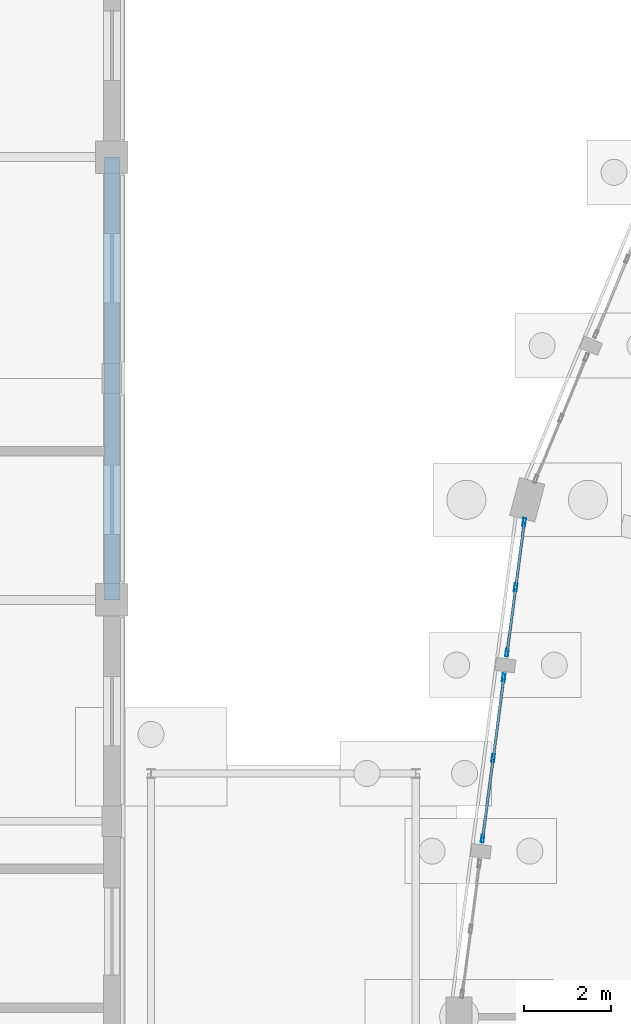
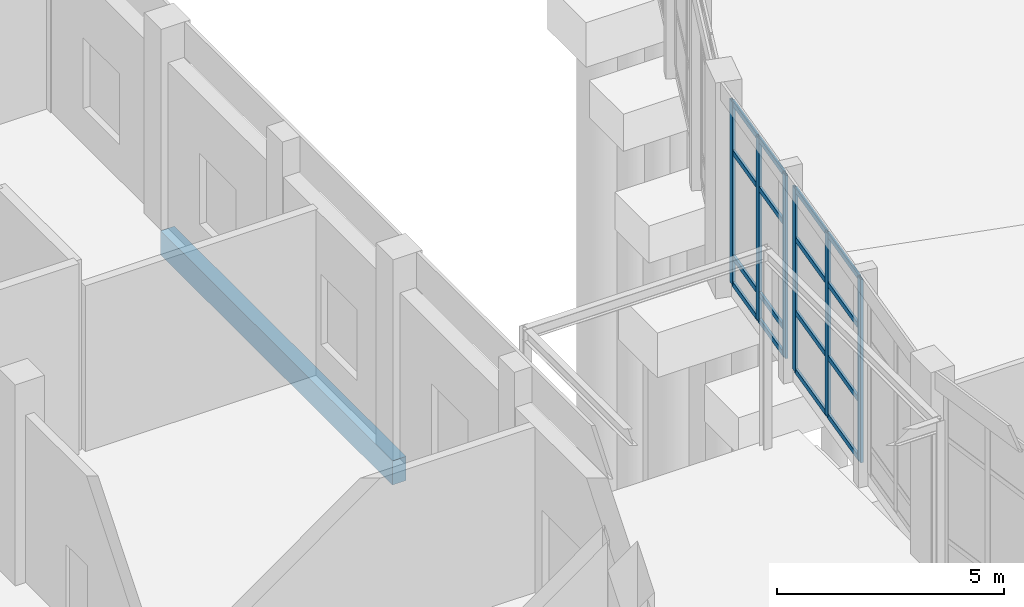
# One storey, part 48 of 137: 22 members, 1 beam, 2 elements without a shape of their own.
"""IFC4 building model written with IfcOpenShell, lengths in metres."""

from ifc_helpers import new_model, si_unit, direction, frame, origin, origin_2d, place, context, subcontext, project, spatial, rectangle, hollow_rectangle, extrude, material, material_profile, profile_set, type_object, element, aggregate, save


model = new_model("IFC4")

# Units and contexts
model_context = context("Model", 3, precision=1e-05, world=origin(), true_north=direction((0.0, 1.0)))
body_context = subcontext(model_context, "Body", "Model", "MODEL_VIEW")
ifc_project = project(units=[si_unit("LENGTHUNIT", "METRE"), si_unit("AREAUNIT", "SQUARE_METRE"), si_unit("VOLUMEUNIT", "CUBIC_METRE"), si_unit("PLANEANGLEUNIT", "RADIAN"), si_unit("MASSUNIT", "GRAM", prefix="KILO")], contexts=[model_context])

# Site, building, storey
site_placement = place(None, origin())
site = spatial("IfcSite", under=ifc_project, at=site_placement, CompositionType="ELEMENT")
building_placement = place(site_placement, origin())
building = spatial("IfcBuilding", under=site, at=building_placement, Name="Vondelvale Polytechnic", CompositionType="ELEMENT")
storey_placement = place(building_placement, origin())
storey = spatial("IfcBuildingStorey", under=building, at=storey_placement, Name="L00", CompositionType="ELEMENT", Elevation=0.0)

# Curtain wall, members
ifc_material_1 = material(Name="Glulam GL18 structural Tasmanian oak (fb = 42 MPa)", Category="wood")
curtain_wall_type = type_object("IfcCurtainWallType", Name="CW-RING-OUTER", PredefinedType="NOTDEFINED", material=ifc_material_1)
curtain_wall_1_placement = place(storey_placement, origin())
curtain_wall_1 = element("IfcCurtainWall", 1, at=curtain_wall_1_placement, inside=storey, type_object=curtain_wall_type, Name="L00 architectural curtain wall CW-04-241", PredefinedType="NOTDEFINED")
ifc_material_2 = material(Name="Anodised extruded aluminium 6063-T6", Category="aluminium")
ifc_material_profile_1 = material_profile(ifc_material_2, hollow_rectangle(XDim=0.06494140625, YDim=0.179931640625, WallThickness=0.00390625, at=origin_2d()), Name="CW-MUL-180x65")
ifc_profile_set_1 = profile_set([ifc_material_profile_1], Name="Anodised extruded aluminium 6063-T6")
member_type_1 = type_object("IfcMemberType", Name="CW-MUL-65x180", PredefinedType="MULLION", material=ifc_profile_set_1)
member_1_placement = place(storey_placement, frame((57.5, 83.3935546875, 0.0), z_axis=(0.0, 0.0, 1.0), x_axis=(0.991445190781, -0.130523690099, 0.0)))
member_1 = element("IfcMember", 2, at=member_1_placement, type_object=member_type_1, Name="CW-04-241 mullion 1", PredefinedType="MULLION", context=body_context, shape_type="SweptSolid", body=[
    extrude(hollow_rectangle(XDim=0.06494140625, YDim=0.179931640625, WallThickness=0.00390625, at=origin_2d()), origin(), (0.0, 0.0, 1.0), 4.919921875),
])
member_2_placement = place(storey_placement, frame((57.3017578125, 81.88720703125, 0.0), z_axis=(0.0, 0.0, 1.0), x_axis=(0.991445190781, -0.130523690099, 0.0)))
member_2 = element("IfcMember", 3, at=member_2_placement, type_object=member_type_1, Name="CW-04-241 mullion 2", PredefinedType="MULLION", context=body_context, shape_type="SweptSolid", body=[
    extrude(hollow_rectangle(XDim=0.06494140625, YDim=0.179931640625, WallThickness=0.00390625, at=origin_2d()), origin(), (0.0, 0.0, 1.0), 4.919921875),
])
member_3_placement = place(storey_placement, frame((57.103271484375, 80.380859375, 0.0), z_axis=(0.0, 0.0, 1.0), x_axis=(0.991445190781, -0.130523690099, 0.0)))
member_3 = element("IfcMember", 4, at=member_3_placement, type_object=member_type_1, Name="CW-04-241 mullion 3", PredefinedType="MULLION", context=body_context, shape_type="SweptSolid", body=[
    extrude(hollow_rectangle(XDim=0.06494140625, YDim=0.179931640625, WallThickness=0.00390625, at=origin_2d()), origin(), (0.0, 0.0, 1.0), 4.919921875),
])

curtain_wall_2_placement = place(storey_placement, origin())
curtain_wall_2 = element("IfcCurtainWall", 5, at=curtain_wall_2_placement, inside=storey, type_object=curtain_wall_type, Name="L00 architectural curtain wall CW-04-242", PredefinedType="NOTDEFINED")
member_4_placement = place(storey_placement, frame((57.0283203125, 79.810791015625, 0.0), z_axis=(0.0, 0.0, 1.0), x_axis=(0.991448671082, -0.130497251349, 0.0)))
member_4 = element("IfcMember", 6, at=member_4_placement, type_object=member_type_1, Name="CW-04-242 mullion 1", PredefinedType="MULLION", context=body_context, shape_type="SweptSolid", body=[
    extrude(hollow_rectangle(XDim=0.06494140625, YDim=0.179931640625, WallThickness=0.00390625, at=origin_2d()), origin(), (0.0, 0.0, 1.0), 4.919921875),
])
member_5_placement = place(storey_placement, frame((56.78369140625, 77.952880859375, 0.0), z_axis=(0.0, 0.0, 1.0), x_axis=(0.991448671082, -0.130497251349, 0.0)))
member_5 = element("IfcMember", 7, at=member_5_placement, type_object=member_type_1, Name="CW-04-242 mullion 2", PredefinedType="MULLION", context=body_context, shape_type="SweptSolid", body=[
    extrude(hollow_rectangle(XDim=0.06494140625, YDim=0.179931640625, WallThickness=0.00390625, at=origin_2d()), origin(), (0.0, 0.0, 1.0), 4.919921875),
])
member_6_placement = place(storey_placement, frame((56.5390625, 76.0947265625, 0.0), z_axis=(0.0, 0.0, 1.0), x_axis=(0.991448671082, -0.130497251349, 0.0)))
member_6 = element("IfcMember", 8, at=member_6_placement, type_object=member_type_1, Name="CW-04-242 mullion 3", PredefinedType="MULLION", context=body_context, shape_type="SweptSolid", body=[
    extrude(hollow_rectangle(XDim=0.06494140625, YDim=0.179931640625, WallThickness=0.00390625, at=origin_2d()), origin(), (0.0, 0.0, 1.0), 4.919921875),
])

# Member
ifc_material_profile_2 = material_profile(ifc_material_2, hollow_rectangle(XDim=0.06005859375, YDim=0.139892578125, WallThickness=0.00341796875, at=origin_2d()), Name="CW-TRN-140x60")
ifc_profile_set_2 = profile_set([ifc_material_profile_2], Name="Anodised extruded aluminium 6063-T6")
member_type_2 = type_object("IfcMemberType", Name="CW-TRN-60x140", PredefinedType="USERDEFINED", material=ifc_profile_set_2)
member_7_placement = place(storey_placement, frame((57.49560546875, 83.361328125, 0.030029296875), z_axis=(-0.130437142462, -0.991456580928, 0.0), x_axis=(0.991456580928, -0.130437142462, 0.0)))
member_7 = element("IfcMember", 9, at=member_7_placement, type_object=member_type_2, Name="CW-04-241 transom 1.1", ObjectType="TRANSOM", PredefinedType="USERDEFINED", context=body_context, shape_type="SweptSolid", body=[
    extrude(hollow_rectangle(XDim=0.06005859375, YDim=0.139892578125, WallThickness=0.00341796875, at=origin_2d()), origin(), (0.0, 0.0, 1.0), 1.454345703125),
])

member_8_placement = place(storey_placement, frame((57.49560546875, 83.361328125, 0.75), z_axis=(-0.130437142462, -0.991456580928, 0.0), x_axis=(0.991456580928, -0.130437142462, 0.0)))
member_8 = element("IfcMember", 10, at=member_8_placement, type_object=member_type_2, Name="CW-04-241 transom 1.2", ObjectType="TRANSOM", PredefinedType="USERDEFINED", context=body_context, shape_type="SweptSolid", body=[
    extrude(hollow_rectangle(XDim=0.06005859375, YDim=0.139892578125, WallThickness=0.00341796875, at=origin_2d()), origin(), (0.0, 0.0, 1.0), 1.454345703125),
])

member_9_placement = place(storey_placement, frame((57.49560546875, 83.361328125, 3.570068359375), z_axis=(-0.130437142462, -0.991456580928, 0.0), x_axis=(0.991456580928, -0.130437142462, 0.0)))
member_9 = element("IfcMember", 11, at=member_9_placement, type_object=member_type_2, Name="CW-04-241 transom 1.3", ObjectType="TRANSOM", PredefinedType="USERDEFINED", context=body_context, shape_type="SweptSolid", body=[
    extrude(hollow_rectangle(XDim=0.06005859375, YDim=0.139892578125, WallThickness=0.00341796875, at=origin_2d()), origin(), (0.0, 0.0, 1.0), 1.454345703125),
])

member_10_placement = place(storey_placement, frame((57.49560546875, 83.361328125, 4.889892578125), z_axis=(-0.130437142462, -0.991456580928, 0.0), x_axis=(0.991456580928, -0.130437142462, 0.0)))
member_10 = element("IfcMember", 12, at=member_10_placement, type_object=member_type_2, Name="CW-04-241 transom 1.4", ObjectType="TRANSOM", PredefinedType="USERDEFINED", context=body_context, shape_type="SweptSolid", body=[
    extrude(hollow_rectangle(XDim=0.06005859375, YDim=0.139892578125, WallThickness=0.00341796875, at=origin_2d()), origin(), (0.0, 0.0, 1.0), 1.454345703125),
])

member_11_placement = place(storey_placement, frame((57.29736328125, 81.85498046875, 0.030029296875), z_axis=(-0.130437142462, -0.991456580928, 0.0), x_axis=(0.991456580928, -0.130437142462, 0.0)))
member_11 = element("IfcMember", 13, at=member_11_placement, type_object=member_type_2, Name="CW-04-241 transom 2.1", ObjectType="TRANSOM", PredefinedType="USERDEFINED", context=body_context, shape_type="SweptSolid", body=[
    extrude(hollow_rectangle(XDim=0.06005859375, YDim=0.139892578125, WallThickness=0.00341796875, at=origin_2d()), origin(), (0.0, 0.0, 1.0), 1.454345703125),
])

member_12_placement = place(storey_placement, frame((57.29736328125, 81.85498046875, 0.75), z_axis=(-0.130437142462, -0.991456580928, 0.0), x_axis=(0.991456580928, -0.130437142462, 0.0)))
member_12 = element("IfcMember", 14, at=member_12_placement, type_object=member_type_2, Name="CW-04-241 transom 2.2", ObjectType="TRANSOM", PredefinedType="USERDEFINED", context=body_context, shape_type="SweptSolid", body=[
    extrude(hollow_rectangle(XDim=0.06005859375, YDim=0.139892578125, WallThickness=0.00341796875, at=origin_2d()), origin(), (0.0, 0.0, 1.0), 1.454345703125),
])

member_13_placement = place(storey_placement, frame((57.29736328125, 81.85498046875, 3.570068359375), z_axis=(-0.130437142462, -0.991456580928, 0.0), x_axis=(0.991456580928, -0.130437142462, 0.0)))
member_13 = element("IfcMember", 15, at=member_13_placement, type_object=member_type_2, Name="CW-04-241 transom 2.3", ObjectType="TRANSOM", PredefinedType="USERDEFINED", context=body_context, shape_type="SweptSolid", body=[
    extrude(hollow_rectangle(XDim=0.06005859375, YDim=0.139892578125, WallThickness=0.00341796875, at=origin_2d()), origin(), (0.0, 0.0, 1.0), 1.454345703125),
])

member_14_placement = place(storey_placement, frame((57.29736328125, 81.85498046875, 4.889892578125), z_axis=(-0.130437142462, -0.991456580928, 0.0), x_axis=(0.991456580928, -0.130437142462, 0.0)))
member_14 = element("IfcMember", 16, at=member_14_placement, type_object=member_type_2, Name="CW-04-241 transom 2.4", ObjectType="TRANSOM", PredefinedType="USERDEFINED", context=body_context, shape_type="SweptSolid", body=[
    extrude(hollow_rectangle(XDim=0.06005859375, YDim=0.139892578125, WallThickness=0.00341796875, at=origin_2d()), origin(), (0.0, 0.0, 1.0), 1.454345703125),
])

aggregate(curtain_wall_1, [member_1, member_2, member_3, member_7, member_8, member_9, member_10, member_11, member_12, member_13, member_14])

member_15_placement = place(storey_placement, frame((57.02392578125, 79.778564453125, 0.030029296875), z_axis=(-0.130510372288, -0.991446943979, 0.0), x_axis=(0.991446943979, -0.130510372288, 0.0)))
member_15 = element("IfcMember", 17, at=member_15_placement, type_object=member_type_2, Name="CW-04-242 transom 1.1", ObjectType="TRANSOM", PredefinedType="USERDEFINED", context=body_context, shape_type="SweptSolid", body=[
    extrude(hollow_rectangle(XDim=0.06005859375, YDim=0.139892578125, WallThickness=0.00341796875, at=origin_2d()), origin(), (0.0, 0.0, 1.0), 1.808837890625),
])

member_16_placement = place(storey_placement, frame((57.02392578125, 79.778564453125, 1.60009765625), z_axis=(-0.130510372288, -0.991446943979, 0.0), x_axis=(0.991446943979, -0.130510372288, 0.0)))
member_16 = element("IfcMember", 18, at=member_16_placement, type_object=member_type_2, Name="CW-04-242 transom 1.2", ObjectType="TRANSOM", PredefinedType="USERDEFINED", context=body_context, shape_type="SweptSolid", body=[
    extrude(hollow_rectangle(XDim=0.06005859375, YDim=0.139892578125, WallThickness=0.00341796875, at=origin_2d()), origin(), (0.0, 0.0, 1.0), 1.808837890625),
])

member_17_placement = place(storey_placement, frame((57.02392578125, 79.778564453125, 3.570068359375), z_axis=(-0.130510372288, -0.991446943979, 0.0), x_axis=(0.991446943979, -0.130510372288, 0.0)))
member_17 = element("IfcMember", 19, at=member_17_placement, type_object=member_type_2, Name="CW-04-242 transom 1.3", ObjectType="TRANSOM", PredefinedType="USERDEFINED", context=body_context, shape_type="SweptSolid", body=[
    extrude(hollow_rectangle(XDim=0.06005859375, YDim=0.139892578125, WallThickness=0.00341796875, at=origin_2d()), origin(), (0.0, 0.0, 1.0), 1.808837890625),
])

member_18_placement = place(storey_placement, frame((57.02392578125, 79.778564453125, 4.889892578125), z_axis=(-0.130510372288, -0.991446943979, 0.0), x_axis=(0.991446943979, -0.130510372288, 0.0)))
member_18 = element("IfcMember", 20, at=member_18_placement, type_object=member_type_2, Name="CW-04-242 transom 1.4", ObjectType="TRANSOM", PredefinedType="USERDEFINED", context=body_context, shape_type="SweptSolid", body=[
    extrude(hollow_rectangle(XDim=0.06005859375, YDim=0.139892578125, WallThickness=0.00341796875, at=origin_2d()), origin(), (0.0, 0.0, 1.0), 1.808837890625),
])

member_19_placement = place(storey_placement, frame((56.779541015625, 77.920654296875, 0.030029296875), z_axis=(-0.130492911033, -0.991449242357, 0.0), x_axis=(0.991449242357, -0.130492911033, 0.0)))
member_19 = element("IfcMember", 21, at=member_19_placement, type_object=member_type_2, Name="CW-04-242 transom 2.1", ObjectType="TRANSOM", PredefinedType="USERDEFINED", context=body_context, shape_type="SweptSolid", body=[
    extrude(hollow_rectangle(XDim=0.06005859375, YDim=0.139892578125, WallThickness=0.00341796875, at=origin_2d()), origin(), (0.0, 0.0, 1.0), 1.80908203125),
])

member_20_placement = place(storey_placement, frame((56.779541015625, 77.920654296875, 1.60009765625), z_axis=(-0.130492911033, -0.991449242357, 0.0), x_axis=(0.991449242357, -0.130492911033, 0.0)))
member_20 = element("IfcMember", 22, at=member_20_placement, type_object=member_type_2, Name="CW-04-242 transom 2.2", ObjectType="TRANSOM", PredefinedType="USERDEFINED", context=body_context, shape_type="SweptSolid", body=[
    extrude(hollow_rectangle(XDim=0.06005859375, YDim=0.139892578125, WallThickness=0.00341796875, at=origin_2d()), origin(), (0.0, 0.0, 1.0), 1.80908203125),
])

member_21_placement = place(storey_placement, frame((56.779541015625, 77.920654296875, 3.570068359375), z_axis=(-0.130492911033, -0.991449242357, 0.0), x_axis=(0.991449242357, -0.130492911033, 0.0)))
member_21 = element("IfcMember", 23, at=member_21_placement, type_object=member_type_2, Name="CW-04-242 transom 2.3", ObjectType="TRANSOM", PredefinedType="USERDEFINED", context=body_context, shape_type="SweptSolid", body=[
    extrude(hollow_rectangle(XDim=0.06005859375, YDim=0.139892578125, WallThickness=0.00341796875, at=origin_2d()), origin(), (0.0, 0.0, 1.0), 1.80908203125),
])

member_22_placement = place(storey_placement, frame((56.779541015625, 77.920654296875, 4.889892578125), z_axis=(-0.130492911033, -0.991449242357, 0.0), x_axis=(0.991449242357, -0.130492911033, 0.0)))
member_22 = element("IfcMember", 24, at=member_22_placement, type_object=member_type_2, Name="CW-04-242 transom 2.4", ObjectType="TRANSOM", PredefinedType="USERDEFINED", context=body_context, shape_type="SweptSolid", body=[
    extrude(hollow_rectangle(XDim=0.06005859375, YDim=0.139892578125, WallThickness=0.00341796875, at=origin_2d()), origin(), (0.0, 0.0, 1.0), 1.80908203125),
])

aggregate(curtain_wall_2, [member_4, member_5, member_6, member_15, member_16, member_17, member_18, member_19, member_20, member_21, member_22])

# Beam
ifc_material_3 = material(Name="Precast concrete N40 (f'c = 40 MPa)", Category="concrete")
ifc_material_profile_3 = material_profile(ifc_material_3, rectangle(XDim=0.35009765625, YDim=0.64990234375, at=origin_2d()), Name="RC-SPN-350x650")
ifc_profile_set_3 = profile_set([ifc_material_profile_3], Name="Precast concrete N40 (f'c = 40 MPa)")
beam_type = type_object("IfcBeamType", Name="SPN-PRE350x650", PredefinedType="SPANDREL", material=ifc_profile_set_3)
beam_placement = place(storey_placement, frame((48.0, 81.60009765625, -0.625), z_axis=(0.0, 1.0, 0.0), x_axis=(-1.0, 0.0, 0.0)))
element("IfcBeam", 25, at=beam_placement, inside=storey, type_object=beam_type, Name="L00 B SP-02", PredefinedType="SPANDREL", context=body_context, shape_type="SweptSolid", body=[
    extrude(rectangle(XDim=0.35009765625, YDim=0.64990234375, at=origin_2d()), origin(), (0.0, 0.0, 1.0), 10.199951171875),
])

save(model, "model.ifc")
